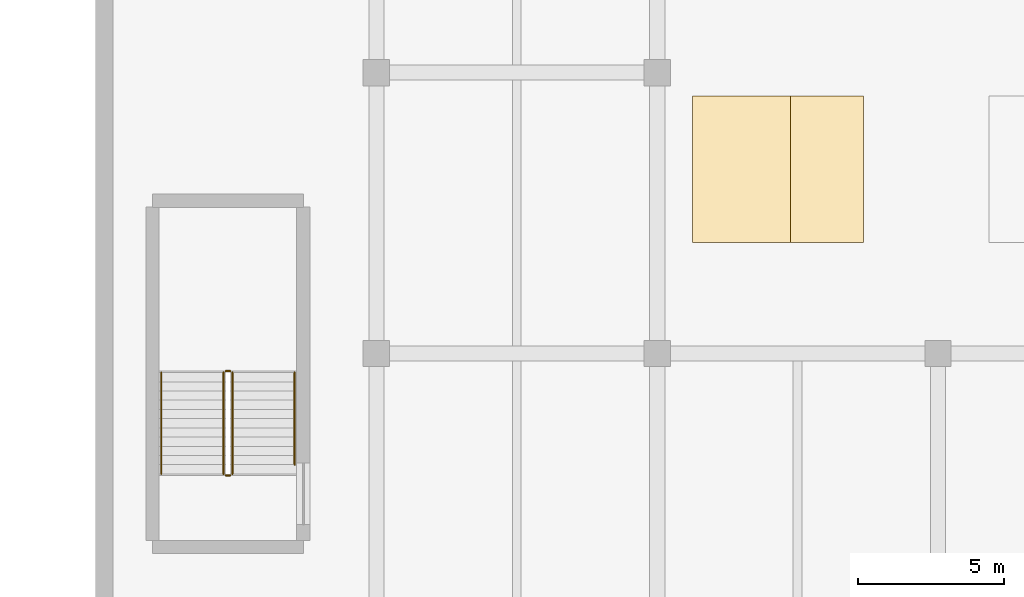
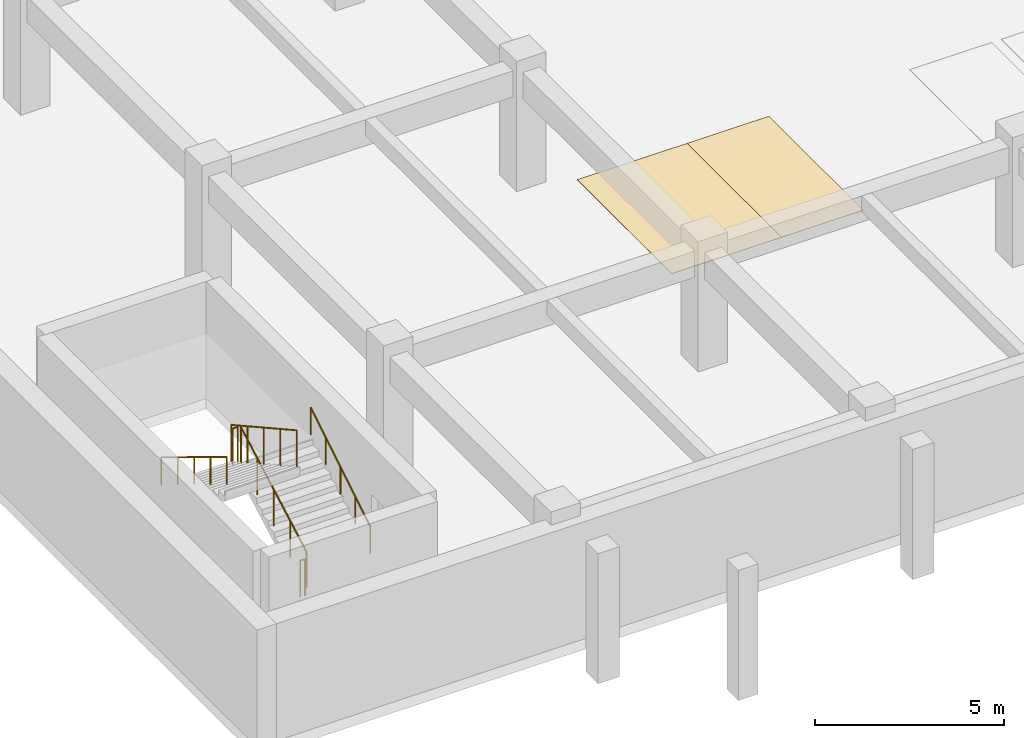
# One storey, part 22 of 39: 6 railings, 2 coverings.
"""IFC4 building model written with IfcOpenShell, lengths in metres."""

from ifc_helpers import new_model, si_unit, direction, frame, origin, origin_2d, place, context, subcontext, project, spatial, polyline, circle, outline, extrude, material, layer, layer_set, type_object, element, save


model = new_model("IFC4")

# Units and contexts
model_context = context("Model", 3, precision=1e-05, world=origin(), true_north=direction((0.0, 1.0)))
body_context = subcontext(model_context, "Body", "Model", "MODEL_VIEW")
ifc_project = project(units=[si_unit("LENGTHUNIT", "METRE"), si_unit("AREAUNIT", "SQUARE_METRE"), si_unit("VOLUMEUNIT", "CUBIC_METRE"), si_unit("PLANEANGLEUNIT", "RADIAN"), si_unit("MASSUNIT", "GRAM", prefix="KILO")], contexts=[model_context])

# Site, building, storey
site_placement = place(None, origin())
site = spatial("IfcSite", under=ifc_project, at=site_placement, CompositionType="ELEMENT")
building_placement = place(site_placement, origin())
building = spatial("IfcBuilding", under=site, at=building_placement, Name="Nakhvara Creek Congress Hotel", CompositionType="ELEMENT")
storey_placement = place(building_placement, frame((0.0, 0.0, -4.199951171875)))
storey = spatial("IfcBuildingStorey", under=building, at=storey_placement, Name="B1", CompositionType="ELEMENT", Elevation=-4.199951171875)

# Coverings
ifc_material_1 = material(Name="Thermoplastic reflective parking bay marking")
ifc_layer = layer(ifc_material_1, 0.014892578125)
ifc_layer_set = layer_set([ifc_layer], Name="Thermoplastic reflective parking bay marking")
covering_type = type_object("IfcCoveringType", Name="COV-PARK-MRK", PredefinedType="USERDEFINED", material=ifc_layer_set)
covering_1_placement = place(storey_placement, frame((0.0, 0.0, 0.008056640625)))
element("IfcCovering", 1, at=covering_1_placement, inside=storey, type_object=covering_type, Name="Accessible Parking Bay B1-11", ObjectType="ROAD_MARKING", PredefinedType="USERDEFINED", context=body_context, shape_type="SweptSolid", body=[
    extrude(outline(polyline([(78.0, 13.39990234375), (81.60009765625, 13.39990234375), (81.60009765625, 18.39990234375), (78.0, 18.39990234375), (78.0, 13.39990234375)])), origin(), (0.0, 0.0, 1.0), 0.011962890625),
])
covering_2_placement = place(storey_placement, frame((0.0, 0.0, 0.008056640625)))
element("IfcCovering", 2, at=covering_2_placement, inside=storey, type_object=covering_type, Name="Parking Bay Demarcation B1-012", ObjectType="ROAD_MARKING", PredefinedType="USERDEFINED", context=body_context, shape_type="SweptSolid", body=[
    extrude(outline(polyline([(81.35009765625, 13.39990234375), (83.85009765625, 13.39990234375), (83.85009765625, 18.39990234375), (81.35009765625, 18.39990234375), (81.35009765625, 13.39990234375)])), origin(), (0.0, 0.0, 1.0), 0.011962890625),
])

# Railings
ifc_material_2 = material(Name="Brushed stainless steel 316L", Category="steel")
railing_type_1 = type_object("IfcRailingType", Name="RL-GUARD-1200", PredefinedType="GUARDRAIL", material=ifc_material_2)
railing_1_placement = place(storey_placement, frame((62.27490234375, 5.47998046875, 0.175048828125)))
element("IfcRailing", 3, at=railing_1_placement, inside=storey, type_object=railing_type_1, Name="B1 ST11 stair guard 1", PredefinedType="GUARDRAIL", context=body_context, shape_type="SweptSolid", body=[
    extrude(circle(Radius=0.02392578125, at=origin_2d()), frame((0.0, 0.012939453125, 1.18310546875), z_axis=(0.0, 0.874183422646, 0.48559586445), x_axis=(-1.0, 0.0, 0.0)), (0.0, 0.0, 1.0), 3.934326171875),
    extrude(circle(Radius=0.02099609375, at=origin_2d()), origin(), (0.0, 0.0, 1.0), 1.1806640625),
    extrude(circle(Radius=0.02099609375, at=origin_2d()), frame((0.0, 0.8662109375, 0.481201171875)), (0.0, 0.0, 1.0), 1.1806640625),
    extrude(circle(Radius=0.02099609375, at=origin_2d()), frame((0.0, 1.732421875, 0.96240234375)), (0.0, 0.0, 1.0), 1.1806640625),
    extrude(circle(Radius=0.02099609375, at=origin_2d()), frame((0.0, 2.598876953125, 1.443603515625)), (0.0, 0.0, 1.0), 1.1806640625),
    extrude(circle(Radius=0.02099609375, at=origin_2d()), frame((0.0, 3.465087890625, 1.9248046875)), (0.0, 0.0, 1.0), 1.1806640625),
])
railing_2_placement = place(storey_placement, frame((62.199951171875, 8.9951171875, 2.099853515625)))
element("IfcRailing", 4, at=railing_2_placement, inside=storey, type_object=railing_type_1, Name="B1 ST11 stair guard 2", PredefinedType="GUARDRAIL", context=body_context, shape_type="SweptSolid", body=[
    extrude(circle(Radius=0.02392578125, at=origin_2d()), frame((-0.0146484375, 0.0, 1.17578125), z_axis=(-1.0, 0.0, 0.0), x_axis=(0.0, -1.0, 0.0)), (0.0, 0.0, 1.0), 0.12060546875),
    extrude(circle(Radius=0.02099609375, at=origin_2d()), origin(), (0.0, 0.0, 1.0), 1.1806640625),
    extrude(circle(Radius=0.02099609375, at=origin_2d()), frame((-0.14990234375, 0.0, 0.0)), (0.0, 0.0, 1.0), 1.1806640625),
])
railing_3_placement = place(storey_placement, frame((61.97509765625, 8.945068359375, 2.27490234375)))
element("IfcRailing", 5, at=railing_3_placement, inside=storey, type_object=railing_type_1, Name="B1 ST11 stair guard 3", PredefinedType="GUARDRAIL", context=body_context, shape_type="SweptSolid", body=[
    extrude(circle(Radius=0.02392578125, at=origin_2d()), frame((0.0, -0.012939453125, 1.18310546875), z_axis=(0.0, -0.874157276122, 0.485642931179), x_axis=(1.0, 0.0, 0.0)), (0.0, 0.0, 1.0), 3.9345703125),
    extrude(circle(Radius=0.02099609375, at=origin_2d()), origin(), (0.0, 0.0, 1.0), 1.1806640625),
    extrude(circle(Radius=0.02099609375, at=origin_2d()), frame((0.0, -0.8662109375, 0.481201171875)), (0.0, 0.0, 1.0), 1.1806640625),
    extrude(circle(Radius=0.02099609375, at=origin_2d()), frame((0.0, -1.732421875, 0.96240234375)), (0.0, 0.0, 1.0), 1.1806640625),
    extrude(circle(Radius=0.02099609375, at=origin_2d()), frame((0.0, -2.598876953125, 1.44384765625)), (0.0, 0.0, 1.0), 1.1806640625),
    extrude(circle(Radius=0.02099609375, at=origin_2d()), frame((0.0, -3.465087890625, 1.925048828125)), (0.0, 0.0, 1.0), 1.1806640625),
])
railing_4_placement = place(storey_placement, frame((62.199951171875, 5.429931640625, 0.0)))
element("IfcRailing", 6, at=railing_4_placement, inside=storey, type_object=railing_type_1, Name="B1 ST11 stair guard 4", PredefinedType="GUARDRAIL", context=body_context, shape_type="SweptSolid", body=[
    extrude(circle(Radius=0.02392578125, at=origin_2d()), frame((-0.0146484375, 0.0, 1.17578125), z_axis=(-1.0, 0.0, 0.0), x_axis=(0.0, -1.0, 0.0)), (0.0, 0.0, 1.0), 0.12060546875),
    extrude(circle(Radius=0.02099609375, at=origin_2d()), origin(), (0.0, 0.0, 1.0), 1.1806640625),
    extrude(circle(Radius=0.02099609375, at=origin_2d()), frame((-0.14990234375, 0.0, 0.0)), (0.0, 0.0, 1.0), 1.1806640625),
])
railing_type_2 = type_object("IfcRailingType", Name="RL-HAND-900", PredefinedType="HANDRAIL", material=ifc_material_2)
railing_5_placement = place(storey_placement, frame((64.405029296875, 5.794921875, 0.349853515625)))
element("IfcRailing", 7, at=railing_5_placement, inside=storey, type_object=railing_type_2, Name="B1 ST11 stair handrail 1", PredefinedType="HANDRAIL", context=body_context, shape_type="SweptSolid", body=[
    extrude(circle(Radius=0.02392578125, at=origin_2d()), frame((0.0, 0.012451171875, 0.883544921875), z_axis=(0.0, 0.851961960065, 0.523603684672), x_axis=(-1.0, 0.0, 0.0)), (0.0, 0.0, 1.0), 3.668212890625),
    extrude(circle(Radius=0.02099609375, at=origin_2d()), origin(), (0.0, 0.0, 1.0), 0.880615234375),
    extrude(circle(Radius=0.02099609375, at=origin_2d()), frame((0.0, 0.78759765625, 0.48388671875)), (0.0, 0.0, 1.0), 0.880615234375),
    extrude(circle(Radius=0.02099609375, at=origin_2d()), frame((0.0, 1.5751953125, 0.968017578125)), (0.0, 0.0, 1.0), 0.880615234375),
    extrude(circle(Radius=0.02099609375, at=origin_2d()), frame((0.0, 2.362548828125, 1.4521484375)), (0.0, 0.0, 1.0), 0.880615234375),
    extrude(circle(Radius=0.02099609375, at=origin_2d()), frame((0.0, 3.150146484375, 1.93603515625)), (0.0, 0.0, 1.0), 0.880615234375),
])
railing_6_placement = place(storey_placement, frame((59.844970703125, 8.945068359375, 2.27490234375)))
element("IfcRailing", 8, at=railing_6_placement, inside=storey, type_object=railing_type_2, Name="B1 ST11 stair handrail 2", PredefinedType="HANDRAIL", context=body_context, shape_type="SweptSolid", body=[
    extrude(circle(Radius=0.02392578125, at=origin_2d()), frame((0.0, -0.012451171875, 0.883544921875), z_axis=(0.0, -0.853990507121, 0.520288586985), x_axis=(1.0, 0.0, 0.0)), (0.0, 0.0, 1.0), 4.028076171875),
    extrude(circle(Radius=0.02099609375, at=origin_2d()), origin(), (0.0, 0.0, 1.0), 0.880615234375),
    extrude(circle(Radius=0.02099609375, at=origin_2d()), frame((0.0, -0.8662109375, 0.52783203125)), (0.0, 0.0, 1.0), 0.880615234375),
    extrude(circle(Radius=0.02099609375, at=origin_2d()), frame((0.0, -1.732421875, 1.0556640625)), (0.0, 0.0, 1.0), 0.880615234375),
    extrude(circle(Radius=0.02099609375, at=origin_2d()), frame((0.0, -2.598876953125, 1.583251953125)), (0.0, 0.0, 1.0), 0.880615234375),
    extrude(circle(Radius=0.02099609375, at=origin_2d()), frame((0.0, -3.465087890625, 2.111083984375)), (0.0, 0.0, 1.0), 0.880615234375),
])

save(model, "model.ifc")
